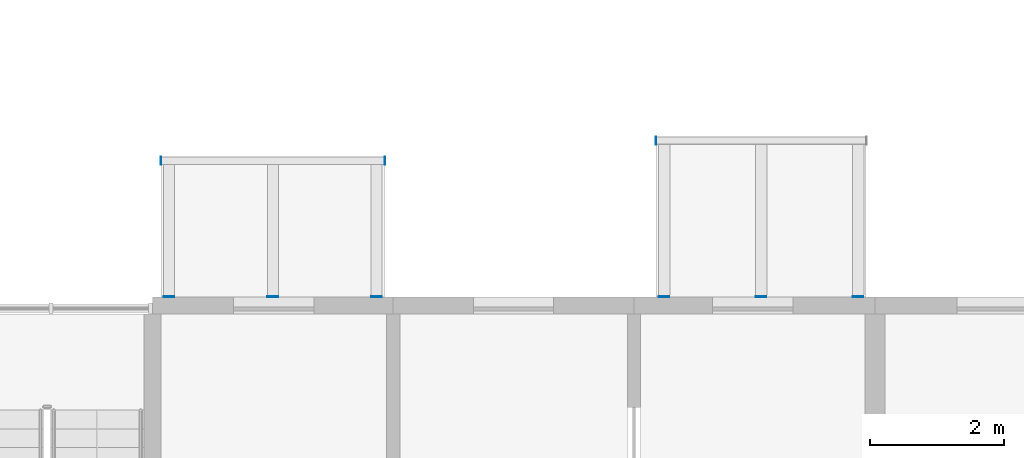
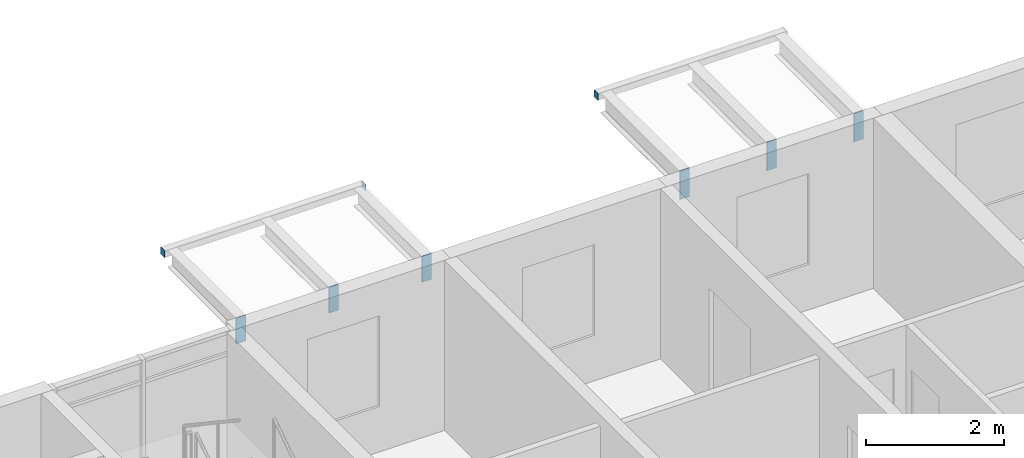
# One storey, part 66 of 94: 9 discrete accessories.
"""IFC4 building model written with IfcOpenShell, lengths in metres."""

from ifc_helpers import new_model, si_unit, direction, frame, origin, origin_2d, place, context, subcontext, project, spatial, rectangle, extrude, material, layer, layer_set, type_object, element, save


model = new_model("IFC4")

# Units and contexts
model_context = context("Model", 3, precision=1e-05, world=origin(), true_north=direction((0.0, 1.0)))
body_context = subcontext(model_context, "Body", "Model", "MODEL_VIEW")
ifc_project = project(units=[si_unit("LENGTHUNIT", "METRE"), si_unit("AREAUNIT", "SQUARE_METRE"), si_unit("VOLUMEUNIT", "CUBIC_METRE"), si_unit("PLANEANGLEUNIT", "RADIAN"), si_unit("MASSUNIT", "GRAM", prefix="KILO")], contexts=[model_context])

# Site, building, storey
site_placement = place(None, origin())
site = spatial("IfcSite", under=ifc_project, at=site_placement, CompositionType="ELEMENT")
building_placement = place(site_placement, origin())
building = spatial("IfcBuilding", under=site, at=building_placement, Name="Ridgestep Commons", CompositionType="ELEMENT")
storey_placement = place(building_placement, frame((0.0, 0.0, 24.0)))
storey = spatial("IfcBuildingStorey", under=building, at=storey_placement, Name="L08", CompositionType="ELEMENT", Elevation=24.0)

# Discrete accessories
ifc_material_1 = material(Name="Weathering steel S355J2W", Category="steel")
ifc_layer_1 = layer(ifc_material_1, 0.014892578125)
ifc_layer_set_1 = layer_set([ifc_layer_1], Name="Tray bracket plate 15")
discrete_accessory_type_1 = type_object("IfcDiscreteAccessoryType", Name="Tray bracket plate 15", PredefinedType="BRACKET", material=ifc_layer_set_1)
for number, where, z_axis, x_axis, name in (
    (1, (59.25, 23.007568359375, 2.488525390625), (0.0, 0.0, 1.0), (1.0, 0.0, 0.0), "Tray bracket A3T1-09.1"),
    (2, (60.699951171875, 23.007568359375, 2.488525390625), (0.0, 0.0, 1.0), (1.0, 0.0, 0.0), "Tray bracket A3T1-09.2"),
    (3, (62.14990234375, 23.007568359375, 2.488525390625), (0.0, 0.0, 1.0), (1.0, 0.0, 0.0), "Tray bracket A3T1-09.3"),
):
    element("IfcDiscreteAccessory", number, at=place(storey_placement, frame(where, z_axis=z_axis, x_axis=x_axis)), inside=storey, type_object=discrete_accessory_type_1, Name=name, PredefinedType="BRACKET", context=body_context, shape_type="SweptSolid", body=[
        extrude(rectangle(XDim=0.159912109375, YDim=0.014892578125, at=origin_2d()), origin(), (0.0, 0.0, 1.0), 0.50146484375),
    ])
for number, where, z_axis, x_axis, name in (
    (4, (51.85009765625, 23.007568359375, 2.53662109375), (0.0, 0.0, 1.0), (1.0, 0.0, 0.0), "Tray bracket A3T3-09.1"),
    (5, (53.39990234375, 23.007568359375, 2.53662109375), (0.0, 0.0, 1.0), (1.0, 0.0, 0.0), "Tray bracket A3T3-09.2"),
    (6, (54.949951171875, 23.007568359375, 2.53662109375), (0.0, 0.0, 1.0), (1.0, 0.0, 0.0), "Tray bracket A3T3-09.3"),
):
    element("IfcDiscreteAccessory", number, at=place(storey_placement, frame(where, z_axis=z_axis, x_axis=x_axis)), inside=storey, type_object=discrete_accessory_type_1, Name=name, PredefinedType="BRACKET", context=body_context, shape_type="SweptSolid", body=[
        extrude(rectangle(XDim=0.159912109375, YDim=0.014892578125, at=origin_2d()), origin(), (0.0, 0.0, 1.0), 0.453369140625),
    ])
ifc_material_2 = material(Name="Weathering steel S355J2W", Category="steel")
ifc_layer_2 = layer(ifc_material_2, 0.008056640625)
ifc_layer_set_2 = layer_set([ifc_layer_2], Name="Tray edge member end plate 120 x 120 x 8")
discrete_accessory_type_2 = type_object("IfcDiscreteAccessoryType", Name="Tray edge member end plate 120 x 120 x 8", PredefinedType="BRACKET", material=ifc_layer_set_2)
for number, where, z_axis, x_axis, name in (
    (7, (59.1259765625, 25.340087890625, 2.869873046875), (0.0, 0.0, 1.0), (1.0, 0.0, 0.0), "Tray edge member end plate A3T1-09 west"),
    (8, (51.72607421875, 25.0400390625, 2.869873046875), (0.0, 0.0, 1.0), (1.0, 0.0, 0.0), "Tray edge member end plate A3T3-09 west"),
    (9, (55.073974609375, 25.0400390625, 2.869873046875), (0.0, 0.0, 1.0), (1.0, 0.0, 0.0), "Tray edge member end plate A3T3-09 east"),
):
    element("IfcDiscreteAccessory", number, at=place(storey_placement, frame(where, z_axis=z_axis, x_axis=x_axis)), inside=storey, type_object=discrete_accessory_type_2, Name=name, PredefinedType="BRACKET", context=body_context, shape_type="SweptSolid", body=[
        extrude(rectangle(XDim=0.008056640625, YDim=0.1201171875, at=origin_2d()), origin(), (0.0, 0.0, 1.0), 0.1201171875),
    ])

save(model, "model.ifc")
